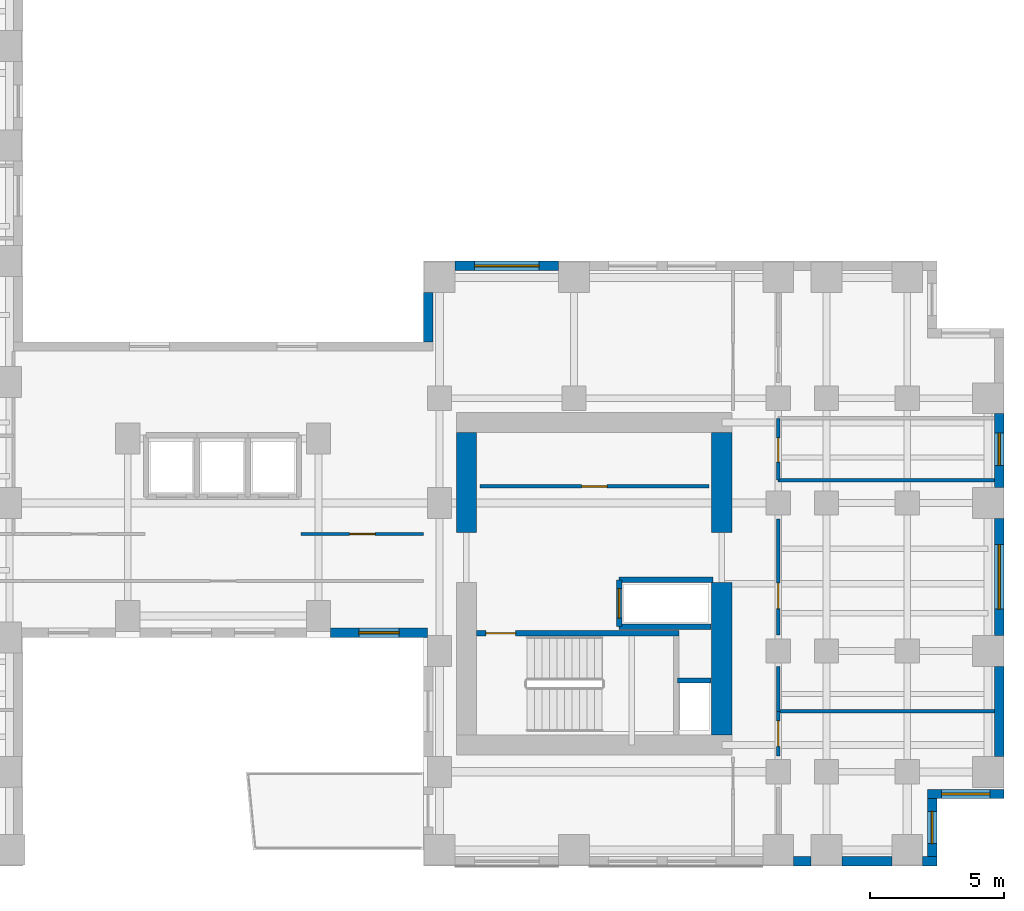
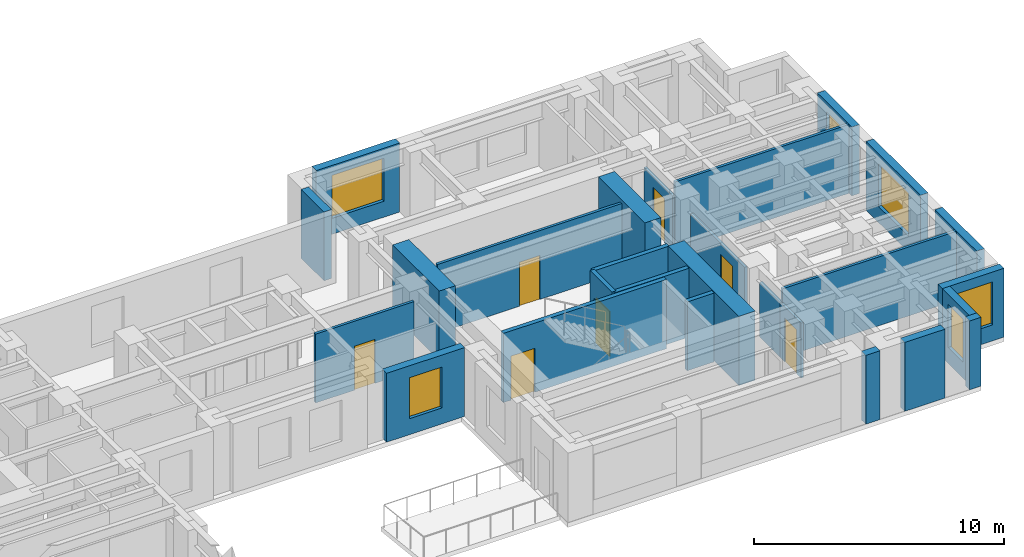
# One storey, part 7 of 12: 27 walls, 7 doors, 6 windows, 13 openings.
"""IFC4 building model written with IfcOpenShell, lengths in metres."""

from ifc_helpers import new_model, si_unit, direction, frame, frame_2d, origin, place, context, subcontext, project, spatial, rectangle, extrude, source, transform, mapped, material, layer, layer_set, type_object, element, fill, save


model = new_model("IFC4")

# Units and contexts
model_context = context("Model", 3, precision=1e-05, world=origin(), true_north=direction((0.0, 1.0)))
body_context = subcontext(model_context, "Body", "Model", "MODEL_VIEW")
ifc_project = project(units=[si_unit("LENGTHUNIT", "METRE"), si_unit("AREAUNIT", "SQUARE_METRE"), si_unit("VOLUMEUNIT", "CUBIC_METRE"), si_unit("PLANEANGLEUNIT", "RADIAN"), si_unit("MASSUNIT", "GRAM", prefix="KILO")], contexts=[model_context])

# Site, building, storey
site_placement = place(None, origin())
site = spatial("IfcSite", under=ifc_project, at=site_placement, CompositionType="ELEMENT")
building_placement = place(site_placement, origin())
building = spatial("IfcBuilding", under=site, at=building_placement, Name="Kharzan Plaza Tower", CompositionType="ELEMENT")
storey_placement = place(building_placement, frame((0.0, 0.0, 91.800048828125)))
storey = spatial("IfcBuildingStorey", under=building, at=storey_placement, Name="L24", CompositionType="ELEMENT", Elevation=91.800048828125)

# Wall, opening, window
ifc_material_1 = material(Name="Concrete C40/50", Category="concrete")
ifc_layer_1 = layer(ifc_material_1, 0.35009765625)
ifc_layer_set_1 = layer_set([ifc_layer_1], Name="Concrete C40/50")
wall_type_1 = type_object("IfcWallType", Name="WL-EXT-MAS-Z2", PredefinedType="SOLIDWALL", material=ifc_layer_set_1)
wall_1_placement = place(storey_placement, frame((30.947998046875, 8.675048828125, 0.0), z_axis=(0.0, 0.0, 1.0), x_axis=(1.0, 0.0, 0.0)))
wall_1 = element("IfcWall", 1, at=wall_1_placement, inside=storey, type_object=wall_type_1, Name="L24 Masonry-Frame Exterior Wall 36", PredefinedType="SOLIDWALL", context=body_context, shape_type="SweptSolid", body=[
    extrude(rectangle(XDim=3.60400390625, YDim=0.35009765625, at=frame_2d((1.802001953125, 0.0))), origin(), (0.0, 0.0, 1.0), 3.364990234375),
])
opening_1_placement = place(wall_1_placement, frame((1.052001953125, 0.0, 0.780029296875)))
opening_1 = element("IfcOpeningElement", 2, at=opening_1_placement, cuts=wall_1, Name="Opening W5", PredefinedType="OPENING", context=body_context, shape_type="SweptSolid", body=[
    extrude(rectangle(XDim=1.5, YDim=2.0, at=frame_2d((0.75, 1.0))), frame((0.0, 0.18505859375, 0.0), z_axis=(0.0, -1.0, 0.0), x_axis=(1.0, 0.0, 0.0)), (0.0, 0.0, 1.0), 0.3701171875),
])
ifc_material_2 = material(Name="Low-E Double Glazing", Category="glass")
window_type_1 = type_object("IfcWindowType", Name="WN-SLT-1500x2000", PartitioningType="SINGLE_PANEL", PredefinedType="WINDOW", material=ifc_material_2)
shared_shape_1 = source(origin(), body_context, "Body", "SweptSolid", [
    extrude(rectangle(XDim=1.5, YDim=2.0, at=frame_2d((0.75, 1.0))), frame((0.0, 0.030029296875, 0.0), z_axis=(0.0, -1.0, 0.0), x_axis=(1.0, 0.0, 0.0)), (0.0, 0.0, 1.0), 0.06005859375),
])
window_1_placement = place(opening_1_placement, origin())
window_1 = element("IfcWindow", 3, at=window_1_placement, inside=storey, type_object=window_type_1, Name="L24 Recessed Solar-Control Window 36-1", OverallHeight=2.0, OverallWidth=1.5, PartitioningType="SINGLE_PANEL", PredefinedType="WINDOW", context=body_context, shape_type="MappedRepresentation", body=[
    mapped(shared_shape_1, transform((0.0, 0.0, 0.0), x_axis=(1.0, 0.0, 0.0), y_axis=(0.0, 1.0, 0.0), z_axis=(0.0, 0.0, 1.0))),
])
fill(opening_1, window_1)

wall_2_placement = place(storey_placement, frame((53.324951171875, 0.347900390625, 0.0), z_axis=(0.0, 0.0, 1.0), x_axis=(0.0, 1.0, 0.0)))
wall_2 = element("IfcWall", 4, at=wall_2_placement, inside=storey, type_object=wall_type_1, Name="L24 Masonry-Frame Exterior Wall 44", PredefinedType="SOLIDWALL", context=body_context, shape_type="SweptSolid", body=[
    extrude(rectangle(XDim=2.154052734375, YDim=0.35009765625, at=frame_2d((1.0771484375, 0.0))), origin(), (0.0, 0.0, 1.0), 3.364990234375),
])
opening_2_placement = place(wall_2_placement, frame((0.47705078125, 0.0, 0.780029296875)))
opening_2 = element("IfcOpeningElement", 5, at=opening_2_placement, cuts=wall_2, Name="Opening W3", PredefinedType="OPENING", context=body_context, shape_type="SweptSolid", body=[
    extrude(rectangle(XDim=1.199951171875, YDim=2.10009765625, at=frame_2d((0.60009765625, 1.050048828125))), frame((0.0, 0.18505859375, 0.0), z_axis=(0.0, -1.0, 0.0), x_axis=(1.0, 0.0, 0.0)), (0.0, 0.0, 1.0), 0.3701171875),
])
window_type_2 = type_object("IfcWindowType", Name="WN-REC-1200x2100", PartitioningType="SINGLE_PANEL", PredefinedType="WINDOW", material=ifc_material_2)
shared_shape_2 = source(origin(), body_context, "Body", "SweptSolid", [
    extrude(rectangle(XDim=1.199951171875, YDim=2.10009765625, at=frame_2d((0.60009765625, 1.050048828125))), frame((0.0, 0.030029296875, 0.0), z_axis=(0.0, -1.0, 0.0), x_axis=(1.0, 0.0, 0.0)), (0.0, 0.0, 1.0), 0.06005859375),
])
window_2_placement = place(opening_2_placement, origin())
window_2 = element("IfcWindow", 6, at=window_2_placement, inside=storey, type_object=window_type_2, Name="L24 Recessed Solar-Control Window 44-1", OverallHeight=2.10009765625, OverallWidth=1.199951171875, PartitioningType="SINGLE_PANEL", PredefinedType="WINDOW", context=body_context, shape_type="MappedRepresentation", body=[
    mapped(shared_shape_2, transform((0.0, 0.0, 0.0), x_axis=(1.0, 0.0, 0.0), y_axis=(0.0, 1.0, 0.0), z_axis=(0.0, 0.0, 1.0))),
])
fill(opening_2, window_2)

wall_3_placement = place(storey_placement, frame((53.14990234375, 2.675048828125, 0.0), z_axis=(0.0, 0.0, 1.0), x_axis=(1.0, 0.0, 0.0)))
wall_3 = element("IfcWall", 7, at=wall_3_placement, inside=storey, type_object=wall_type_1, Name="L24 Masonry-Frame Exterior Wall 45", PredefinedType="SOLIDWALL", context=body_context, shape_type="SweptSolid", body=[
    extrude(rectangle(XDim=2.85009765625, YDim=0.35009765625, at=frame_2d((1.425048828125, 0.0))), origin(), (0.0, 0.0, 1.0), 3.364990234375),
])
opening_3_placement = place(wall_3_placement, frame((0.52490234375, 0.0, 0.780029296875)))
opening_3 = element("IfcOpeningElement", 8, at=opening_3_placement, cuts=wall_3, Name="Opening W1", PredefinedType="OPENING", context=body_context, shape_type="SweptSolid", body=[
    extrude(rectangle(XDim=1.800048828125, YDim=2.10009765625, at=frame_2d((0.89990234375, 1.050048828125))), frame((0.0, 0.18505859375, 0.0), z_axis=(0.0, -1.0, 0.0), x_axis=(1.0, 0.0, 0.0)), (0.0, 0.0, 1.0), 0.3701171875),
])
window_type_3 = type_object("IfcWindowType", Name="WN-REC-1800x2100", PartitioningType="SINGLE_PANEL", PredefinedType="WINDOW", material=ifc_material_2)
shared_shape_3 = source(origin(), body_context, "Body", "SweptSolid", [
    extrude(rectangle(XDim=1.800048828125, YDim=2.10009765625, at=frame_2d((0.89990234375, 1.050048828125))), frame((0.0, 0.030029296875, 0.0), z_axis=(0.0, -1.0, 0.0), x_axis=(1.0, 0.0, 0.0)), (0.0, 0.0, 1.0), 0.06005859375),
])
window_3_placement = place(opening_3_placement, origin())
window_3 = element("IfcWindow", 9, at=window_3_placement, inside=storey, type_object=window_type_3, Name="L24 Recessed Solar-Control Window 45-1", OverallHeight=2.10009765625, OverallWidth=1.800048828125, PartitioningType="SINGLE_PANEL", PredefinedType="WINDOW", context=body_context, shape_type="MappedRepresentation", body=[
    mapped(shared_shape_3, transform((0.0, 0.0, 0.0), x_axis=(1.0, 0.0, 0.0), y_axis=(0.0, 1.0, 0.0), z_axis=(0.0, 0.0, 1.0))),
])
fill(opening_3, window_3)

wall_4_placement = place(storey_placement, frame((55.824951171875, 8.572998046875, 0.0), z_axis=(0.0, 0.0, 1.0), x_axis=(0.0, 1.0, 0.0)))
wall_4 = element("IfcWall", 10, at=wall_4_placement, inside=storey, type_object=wall_type_1, Name="L24 Masonry-Frame Exterior Wall 47", PredefinedType="SOLIDWALL", context=body_context, shape_type="SweptSolid", body=[
    extrude(rectangle(XDim=4.35400390625, YDim=0.35009765625, at=frame_2d((2.177001953125, 0.0))), origin(), (0.0, 0.0, 1.0), 3.364990234375),
])
opening_4_placement = place(wall_4_placement, frame((0.97705078125, 0.0, 0.780029296875)))
opening_4 = element("IfcOpeningElement", 11, at=opening_4_placement, cuts=wall_4, Name="Opening W2", PredefinedType="OPENING", context=body_context, shape_type="SweptSolid", body=[
    extrude(rectangle(XDim=2.39990234375, YDim=2.10009765625, at=frame_2d((1.199951171875, 1.050048828125))), frame((0.0, 0.18505859375, 0.0), z_axis=(0.0, -1.0, 0.0), x_axis=(1.0, 0.0, 0.0)), (0.0, 0.0, 1.0), 0.3701171875),
])
window_type_4 = type_object("IfcWindowType", Name="WN-REC-2400x2100", PartitioningType="SINGLE_PANEL", PredefinedType="WINDOW", material=ifc_material_2)
shared_shape_4 = source(origin(), body_context, "Body", "SweptSolid", [
    extrude(rectangle(XDim=2.39990234375, YDim=2.10009765625, at=frame_2d((1.199951171875, 1.050048828125))), frame((0.0, 0.030029296875, 0.0), z_axis=(0.0, -1.0, 0.0), x_axis=(1.0, 0.0, 0.0)), (0.0, 0.0, 1.0), 0.06005859375),
])
window_4_placement = place(opening_4_placement, origin())
window_4 = element("IfcWindow", 12, at=window_4_placement, inside=storey, type_object=window_type_4, Name="L24 Wide Recessed Solar-Control Window 47-1", OverallHeight=2.10009765625, OverallWidth=2.39990234375, PartitioningType="SINGLE_PANEL", PredefinedType="WINDOW", context=body_context, shape_type="MappedRepresentation", body=[
    mapped(shared_shape_4, transform((0.0, 0.0, 0.0), x_axis=(1.0, 0.0, 0.0), y_axis=(0.0, 1.0, 0.0), z_axis=(0.0, 0.0, 1.0))),
])
fill(opening_4, window_4)

wall_5_placement = place(storey_placement, frame((55.824951171875, 14.072998046875, 0.0), z_axis=(0.0, 0.0, 1.0), x_axis=(0.0, 1.0, 0.0)))
wall_5 = element("IfcWall", 13, at=wall_5_placement, inside=storey, type_object=wall_type_1, Name="L24 Masonry-Frame Exterior Wall 48", PredefinedType="SOLIDWALL", context=body_context, shape_type="SweptSolid", body=[
    extrude(rectangle(XDim=2.75390625, YDim=0.35009765625, at=frame_2d((1.376953125, 0.0))), origin(), (0.0, 0.0, 1.0), 3.364990234375),
])
opening_5_placement = place(wall_5_placement, frame((0.826904296875, 0.0, 0.780029296875)))
opening_5 = element("IfcOpeningElement", 14, at=opening_5_placement, cuts=wall_5, Name="Opening W3", PredefinedType="OPENING", context=body_context, shape_type="SweptSolid", body=[
    extrude(rectangle(XDim=1.199951171875, YDim=2.10009765625, at=frame_2d((0.60009765625, 1.050048828125))), frame((0.0, 0.18505859375, 0.0), z_axis=(0.0, -1.0, 0.0), x_axis=(1.0, 0.0, 0.0)), (0.0, 0.0, 1.0), 0.3701171875),
])
window_5_placement = place(opening_5_placement, origin())
window_5 = element("IfcWindow", 15, at=window_5_placement, inside=storey, type_object=window_type_2, Name="L24 Recessed Solar-Control Window 48-1", OverallHeight=2.10009765625, OverallWidth=1.199951171875, PartitioningType="SINGLE_PANEL", PredefinedType="WINDOW", context=body_context, shape_type="MappedRepresentation", body=[
    mapped(shared_shape_2, transform((0.0, 0.0, 0.0), x_axis=(1.0, 0.0, 0.0), y_axis=(0.0, 1.0, 0.0), z_axis=(0.0, 0.0, 1.0))),
])
fill(opening_5, window_5)

wall_6_placement = place(storey_placement, frame((39.427001953125, 22.324951171875, 0.0), z_axis=(0.0, 0.0, 1.0), x_axis=(-1.0, 0.0, 0.0)))
wall_6 = element("IfcWall", 16, at=wall_6_placement, inside=storey, type_object=wall_type_1, Name="L24 Masonry-Frame Exterior Wall 56", PredefinedType="SOLIDWALL", context=body_context, shape_type="SweptSolid", body=[
    extrude(rectangle(XDim=3.85400390625, YDim=0.35009765625, at=frame_2d((1.927001953125, 0.0))), origin(), (0.0, 0.0, 1.0), 3.364990234375),
])
opening_6_placement = place(wall_6_placement, frame((0.72705078125, 0.0, 0.780029296875)))
opening_6 = element("IfcOpeningElement", 17, at=opening_6_placement, cuts=wall_6, Name="Opening W2", PredefinedType="OPENING", context=body_context, shape_type="SweptSolid", body=[
    extrude(rectangle(XDim=2.39990234375, YDim=2.10009765625, at=frame_2d((1.199951171875, 1.050048828125))), frame((0.0, 0.18505859375, 0.0), z_axis=(0.0, -1.0, 0.0), x_axis=(1.0, 0.0, 0.0)), (0.0, 0.0, 1.0), 0.3701171875),
])
window_6_placement = place(opening_6_placement, origin())
window_6 = element("IfcWindow", 18, at=window_6_placement, inside=storey, type_object=window_type_4, Name="L24 Wide Recessed Solar-Control Window 56-1", OverallHeight=2.10009765625, OverallWidth=2.39990234375, PartitioningType="SINGLE_PANEL", PredefinedType="WINDOW", context=body_context, shape_type="MappedRepresentation", body=[
    mapped(shared_shape_4, transform((0.0, 0.0, 0.0), x_axis=(1.0, 0.0, 0.0), y_axis=(0.0, 1.0, 0.0), z_axis=(0.0, 0.0, 1.0))),
])
fill(opening_6, window_6)

# Wall, opening, door
ifc_material_3 = material(Name="Fire-Rated Gypsum Board Partition", Category="gypsum")
ifc_layer_2 = layer(ifc_material_3, 0.125)
ifc_layer_set_2 = layer_set([ifc_layer_2], Name="Fire-Rated Gypsum Board Partition")
wall_type_2 = type_object("IfcWallType", Name="WL-INT-PART-125", PredefinedType="PARTITIONING", material=ifc_layer_set_2)
wall_7_placement = place(storey_placement, frame((36.5, 14.1201171875, 0.0), z_axis=(0.0, 0.0, 1.0), x_axis=(1.0, 0.0, 0.0)))
wall_7 = element("IfcWall", 19, at=wall_7_placement, inside=storey, type_object=wall_type_2, Name="L24 Interior Partition CB-RBLS1", PredefinedType="PARTITIONING", context=body_context, shape_type="SweptSolid", body=[
    extrude(rectangle(XDim=8.52001953125, YDim=0.125, at=frame_2d((4.260009765625, 0.0))), origin(), (0.0, 0.0, 1.0), 3.364990234375),
])
opening_7_placement = place(wall_7_placement, frame((3.784912109375, 0.0, 0.0)))
opening_7 = element("IfcOpeningElement", 20, at=opening_7_placement, cuts=wall_7, Name="Opening OD1", PredefinedType="OPENING", context=body_context, shape_type="SweptSolid", body=[
    extrude(rectangle(XDim=0.949951171875, YDim=2.14990234375, at=frame_2d((0.47509765625, 1.074951171875))), frame((0.0, 0.072509765625, 0.0), z_axis=(0.0, -1.0, 0.0), x_axis=(1.0, 0.0, 0.0)), (0.0, 0.0, 1.0), 0.14501953125),
])
ifc_material_4 = material(Name="Acoustic Solid-Core Stained Oak", Category="timber")
door_type_1 = type_object("IfcDoorType", Name="DR-OFF-SINGLE", OperationType="NOTDEFINED", PredefinedType="DOOR", material=ifc_material_4)
shared_shape_5 = source(origin(), body_context, "Body", "SweptSolid", [
    extrude(rectangle(XDim=0.949951171875, YDim=2.14990234375, at=frame_2d((0.47509765625, 1.074951171875))), frame((0.0, 0.02490234375, 0.0), z_axis=(0.0, -1.0, 0.0), x_axis=(1.0, 0.0, 0.0)), (0.0, 0.0, 1.0), 0.050048828125),
])
door_1_placement = place(opening_7_placement, origin())
door_1 = element("IfcDoor", 21, at=door_1_placement, inside=storey, type_object=door_type_1, Name="L24 Mail Room Door", OperationType="SINGLE_SWING_LEFT", OverallHeight=2.14990234375, OverallWidth=0.949951171875, PredefinedType="DOOR", context=body_context, shape_type="MappedRepresentation", body=[
    mapped(shared_shape_5, transform((0.0, 0.0, 0.0), x_axis=(1.0, 0.0, 0.0), y_axis=(0.0, 1.0, 0.0), z_axis=(0.0, 0.0, 1.0))),
])
fill(opening_7, door_1)

wall_8_placement = place(storey_placement, frame((47.60009765625, 4.090087890625, 0.0), z_axis=(0.0, 0.0, 1.0), x_axis=(0.0, 1.0, 0.0)))
wall_8 = element("IfcWall", 22, at=wall_8_placement, inside=storey, type_object=wall_type_2, Name="L24 Interior Partition SH-B3W0", PredefinedType="PARTITIONING", context=body_context, shape_type="SweptSolid", body=[
    extrude(rectangle(XDim=1.659912109375, YDim=0.125, at=frame_2d((0.830078125, 0.0))), origin(), (0.0, 0.0, 1.0), 2.677001953125),
])
opening_8_placement = place(wall_8_placement, frame((0.35498046875, 0.0, 0.0)))
opening_8 = element("IfcOpeningElement", 23, at=opening_8_placement, cuts=wall_8, Name="Opening OD1", PredefinedType="OPENING", context=body_context, shape_type="SweptSolid", body=[
    extrude(rectangle(XDim=0.949951171875, YDim=2.14990234375, at=frame_2d((0.47509765625, 1.074951171875))), frame((0.0, 0.072509765625, 0.0), z_axis=(0.0, -1.0, 0.0), x_axis=(1.0, 0.0, 0.0)), (0.0, 0.0, 1.0), 0.14501953125),
])
door_2_placement = place(opening_8_placement, origin())
door_2 = element("IfcDoor", 24, at=door_2_placement, inside=storey, type_object=door_type_1, Name="L24 Wing B Office 1 Door", OperationType="SINGLE_SWING_RIGHT", OverallHeight=2.14990234375, OverallWidth=0.949951171875, PredefinedType="DOOR", context=body_context, shape_type="MappedRepresentation", body=[
    mapped(shared_shape_5, transform((0.0, 0.0, 0.0), x_axis=(1.0, 0.0, 0.0), y_axis=(0.0, 1.0, 0.0), z_axis=(0.0, 0.0, 1.0))),
])
fill(opening_8, door_2)

wall_9_placement = place(storey_placement, frame((47.60009765625, 8.590087890625, 0.0), z_axis=(0.0, 0.0, 1.0), x_axis=(0.0, 1.0, 0.0)))
wall_9 = element("IfcWall", 25, at=wall_9_placement, inside=storey, type_object=wall_type_2, Name="L24 Interior Partition SH-B3W1-S2", PredefinedType="PARTITIONING", context=body_context, shape_type="SweptSolid", body=[
    extrude(rectangle(XDim=4.31982421875, YDim=0.125, at=frame_2d((2.159912109375, 0.0))), origin(), (0.0, 0.0, 1.0), 2.677001953125),
])
opening_9_placement = place(wall_9_placement, frame((0.985107421875, 0.0, 0.0)))
opening_9 = element("IfcOpeningElement", 26, at=opening_9_placement, cuts=wall_9, Name="Opening OD1", PredefinedType="OPENING", context=body_context, shape_type="SweptSolid", body=[
    extrude(rectangle(XDim=0.949951171875, YDim=2.14990234375, at=frame_2d((0.47509765625, 1.074951171875))), frame((0.0, 0.072509765625, 0.0), z_axis=(0.0, -1.0, 0.0), x_axis=(1.0, 0.0, 0.0)), (0.0, 0.0, 1.0), 0.14501953125),
])
door_3_placement = place(opening_9_placement, origin())
door_3 = element("IfcDoor", 27, at=door_3_placement, inside=storey, type_object=door_type_1, Name="L24 Wing B Office 2 Door", OperationType="SINGLE_SWING_RIGHT", OverallHeight=2.14990234375, OverallWidth=0.949951171875, PredefinedType="DOOR", context=body_context, shape_type="MappedRepresentation", body=[
    mapped(shared_shape_5, transform((0.0, 0.0, 0.0), x_axis=(1.0, 0.0, 0.0), y_axis=(0.0, 1.0, 0.0), z_axis=(0.0, 0.0, 1.0))),
])
fill(opening_9, door_3)

wall_10_placement = place(storey_placement, frame((47.60009765625, 14.35009765625, 0.0), z_axis=(0.0, 0.0, 1.0), x_axis=(0.0, 1.0, 0.0)))
wall_10 = element("IfcWall", 28, at=wall_10_placement, inside=storey, type_object=wall_type_2, Name="L24 Interior Partition SH-B3WC", PredefinedType="PARTITIONING", context=body_context, shape_type="SweptSolid", body=[
    extrude(rectangle(XDim=2.2998046875, YDim=0.125, at=frame_2d((1.14990234375, 0.0))), origin(), (0.0, 0.0, 1.0), 2.677001953125),
])
opening_10_placement = place(wall_10_placement, frame((0.675048828125, 0.0, 0.0)))
opening_10 = element("IfcOpeningElement", 29, at=opening_10_placement, cuts=wall_10, Name="Opening WD1", PredefinedType="OPENING", context=body_context, shape_type="SweptSolid", body=[
    extrude(rectangle(XDim=0.89990234375, YDim=2.14990234375, at=frame_2d((0.449951171875, 1.074951171875))), frame((0.0, 0.072509765625, 0.0), z_axis=(0.0, -1.0, 0.0), x_axis=(1.0, 0.0, 0.0)), (0.0, 0.0, 1.0), 0.14501953125),
])
ifc_material_5 = material(Name="Moisture-Resistant Fire-Rated Laminate", Category="timber")
door_type_2 = type_object("IfcDoorType", Name="DR-WC-900", OperationType="NOTDEFINED", PredefinedType="DOOR", material=ifc_material_5)
shared_shape_6 = source(origin(), body_context, "Body", "SweptSolid", [
    extrude(rectangle(XDim=0.89990234375, YDim=2.14990234375, at=frame_2d((0.449951171875, 1.074951171875))), frame((0.0, 0.02490234375, 0.0), z_axis=(0.0, -1.0, 0.0), x_axis=(1.0, 0.0, 0.0)), (0.0, 0.0, 1.0), 0.050048828125),
])
door_4_placement = place(opening_10_placement, origin())
door_4 = element("IfcDoor", 30, at=door_4_placement, inside=storey, type_object=door_type_2, Name="L24 Wing B Washroom Door", OperationType="SINGLE_SWING_RIGHT", OverallHeight=2.14990234375, OverallWidth=0.89990234375, PredefinedType="DOOR", context=body_context, shape_type="MappedRepresentation", body=[
    mapped(shared_shape_6, transform((0.0, 0.0, 0.0), x_axis=(1.0, 0.0, 0.0), y_axis=(0.0, 1.0, 0.0), z_axis=(0.0, 0.0, 1.0))),
])
fill(opening_10, door_4)

wall_11_placement = place(storey_placement, frame((29.85009765625, 12.35009765625, 0.0), z_axis=(0.0, 0.0, 1.0), x_axis=(1.0, 0.0, 0.0)))
wall_11 = element("IfcWall", 31, at=wall_11_placement, inside=storey, type_object=wall_type_2, Name="L24 Interior Partition SH-SPNE1", PredefinedType="PARTITIONING", context=body_context, shape_type="SweptSolid", body=[
    extrude(rectangle(XDim=4.5498046875, YDim=0.125, at=frame_2d((2.27490234375, 0.0))), origin(), (0.0, 0.0, 1.0), 3.364990234375),
])
opening_11_placement = place(wall_11_placement, frame((1.800048828125, 0.0, 0.0)))
opening_11 = element("IfcOpeningElement", 32, at=opening_11_placement, cuts=wall_11, Name="Opening OD1", PredefinedType="OPENING", context=body_context, shape_type="SweptSolid", body=[
    extrude(rectangle(XDim=0.949951171875, YDim=2.14990234375, at=frame_2d((0.47509765625, 1.074951171875))), frame((0.0, 0.072509765625, 0.0), z_axis=(0.0, -1.0, 0.0), x_axis=(1.0, 0.0, 0.0)), (0.0, 0.0, 1.0), 0.14501953125),
])
door_5_placement = place(opening_11_placement, origin())
door_5 = element("IfcDoor", 33, at=door_5_placement, inside=storey, type_object=door_type_1, Name="L24 North-East Spine Door", OperationType="SINGLE_SWING_LEFT", OverallHeight=2.14990234375, OverallWidth=0.949951171875, PredefinedType="DOOR", context=body_context, shape_type="MappedRepresentation", body=[
    mapped(shared_shape_5, transform((0.0, 0.0, 0.0), x_axis=(1.0, 0.0, 0.0), y_axis=(0.0, 1.0, 0.0), z_axis=(0.0, 0.0, 1.0))),
])
fill(opening_11, door_5)

ifc_layer_3 = layer(ifc_material_1, 0.199951171875)
ifc_layer_set_3 = layer_set([ifc_layer_3], Name="Concrete C40/50")
wall_type_3 = type_object("IfcWallType", Name="WL-INT-SHAFT-200", PredefinedType="PARTITIONING", material=ifc_layer_set_3)
wall_12_placement = place(storey_placement, frame((41.679931640625, 8.89990234375, 0.0), z_axis=(0.0, 0.0, 1.0), x_axis=(0.0, 1.0, 0.0)))
wall_12 = element("IfcWall", 34, at=wall_12_placement, inside=storey, type_object=wall_type_3, Name="L24 Interior Partition SHF-SVL-2-W", PredefinedType="PARTITIONING", context=body_context, shape_type="SweptSolid", body=[
    extrude(rectangle(XDim=1.739990234375, YDim=0.199951171875, at=frame_2d((0.8701171875, 0.0))), origin(), (0.0, 0.0, 1.0), 3.364990234375),
])
opening_12_placement = place(wall_12_placement, frame((0.320068359375, 0.0, 0.0)))
opening_12 = element("IfcOpeningElement", 35, at=opening_12_placement, cuts=wall_12, Name="Opening LD", PredefinedType="OPENING", context=body_context, shape_type="SweptSolid", body=[
    extrude(rectangle(XDim=1.10009765625, YDim=2.199951171875, at=frame_2d((0.550048828125, 1.10009765625))), frame((0.0, 0.10986328125, 0.0), z_axis=(0.0, -1.0, 0.0), x_axis=(1.0, 0.0, 0.0)), (0.0, 0.0, 1.0), 0.219970703125),
])
ifc_material_6 = material(Name="Brushed Stainless Steel", Category="steel")
door_type_3 = type_object("IfcDoorType", Name="DR-LIFT-SLIDE", OperationType="SLIDING_TO_LEFT", PredefinedType="DOOR", material=ifc_material_6)
shared_shape_7 = source(origin(), body_context, "Body", "SweptSolid", [
    extrude(rectangle(XDim=1.10009765625, YDim=2.199951171875, at=frame_2d((0.550048828125, 1.10009765625))), frame((0.0, 0.02490234375, 0.0), z_axis=(0.0, -1.0, 0.0), x_axis=(1.0, 0.0, 0.0)), (0.0, 0.0, 1.0), 0.050048828125),
])
door_6_placement = place(opening_12_placement, origin())
door_6 = element("IfcDoor", 36, at=door_6_placement, inside=storey, type_object=door_type_3, Name="L24 Service Lift SVL-2 Sliding Landing Door", OperationType="SLIDING_TO_LEFT", OverallHeight=2.199951171875, OverallWidth=1.10009765625, PredefinedType="DOOR", context=body_context, shape_type="MappedRepresentation", body=[
    mapped(shared_shape_7, transform((0.0, 0.0, 0.0), x_axis=(1.0, 0.0, 0.0), y_axis=(0.0, 1.0, 0.0), z_axis=(0.0, 0.0, 1.0))),
])
fill(opening_12, door_6)

ifc_material_7 = material(Name="Concrete C50/60", Category="concrete")
ifc_layer_4 = layer(ifc_material_7, 0.199951171875)
ifc_layer_set_4 = layer_set([ifc_layer_4], Name="Concrete C50/60")
wall_type_4 = type_object("IfcWallType", Name="WL-SHAFT-RC200", PredefinedType="SHEAR", material=ifc_layer_set_4)
wall_13_placement = place(storey_placement, frame((36.376953125, 8.655029296875, 0.0), z_axis=(0.0, 0.0, 1.0), x_axis=(1.0, 0.0, 0.0)))
wall_13 = element("IfcWall", 37, at=wall_13_placement, inside=storey, type_object=wall_type_4, Name="L24 Stair ST-3 North RC Shaft Wall", PredefinedType="SHEAR", context=body_context, shape_type="SweptSolid", body=[
    extrude(rectangle(XDim=7.528076171875, YDim=0.199951171875, at=frame_2d((3.76416015625, 0.0))), origin(), (0.0, 0.0, 1.0), 3.3798828125),
])
opening_13_placement = place(wall_13_placement, frame((0.35009765625, 0.0, 0.0)))
opening_13 = element("IfcOpeningElement", 38, at=opening_13_placement, cuts=wall_13, Name="Opening SD1", PredefinedType="OPENING", context=body_context, shape_type="SweptSolid", body=[
    extrude(rectangle(XDim=1.10009765625, YDim=2.14990234375, at=frame_2d((0.550048828125, 1.074951171875))), frame((0.0, 0.10986328125, 0.0), z_axis=(0.0, -1.0, 0.0), x_axis=(1.0, 0.0, 0.0)), (0.0, 0.0, 1.0), 0.219970703125),
])
ifc_material_8 = material(Name="Fire-Rated Hollow Galvanized Steel", Category="steel")
door_type_4 = type_object("IfcDoorType", Name="DR-STAIR-FD120", OperationType="NOTDEFINED", PredefinedType="DOOR", material=ifc_material_8)
shared_shape_8 = source(origin(), body_context, "Body", "SweptSolid", [
    extrude(rectangle(XDim=1.10009765625, YDim=2.14990234375, at=frame_2d((0.550048828125, 1.074951171875))), frame((0.0, 0.02490234375, 0.0), z_axis=(0.0, -1.0, 0.0), x_axis=(1.0, 0.0, 0.0)), (0.0, 0.0, 1.0), 0.050048828125),
])
door_7_placement = place(opening_13_placement, origin())
door_7 = element("IfcDoor", 39, at=door_7_placement, inside=storey, type_object=door_type_4, Name="L24 Stair ST-3 Fire Exit Door", OperationType="SINGLE_SWING_RIGHT", OverallHeight=2.14990234375, OverallWidth=1.10009765625, PredefinedType="DOOR", context=body_context, shape_type="MappedRepresentation", body=[
    mapped(shared_shape_8, transform((0.0, 0.0, 0.0), x_axis=(1.0, 0.0, 0.0), y_axis=(0.0, 1.0, 0.0), z_axis=(0.0, 0.0, 1.0))),
])
fill(opening_13, door_7)

# Walls
shared_shape_9 = source(origin(), body_context, "Body", "SweptSolid", [
    extrude(rectangle(XDim=3.489990234375, YDim=0.199951171875, at=frame_2d((1.7451171875, 0.0))), origin(), (0.0, 0.0, 1.0), 3.364990234375),
])
wall_14_placement = place(storey_placement, frame((41.679931640625, 10.639892578125, 0.0), z_axis=(0.0, 0.0, 1.0), x_axis=(1.0, 0.0, 0.0)))
element("IfcWall", 40, at=wall_14_placement, inside=storey, type_object=wall_type_3, Name="L24 Interior Partition SHF-SVL-2-N", PredefinedType="PARTITIONING", context=body_context, shape_type="MappedRepresentation", body=[
    mapped(shared_shape_9, transform((0.0, 0.0, 0.0), x_axis=(1.0, 0.0, 0.0), y_axis=(0.0, 1.0, 0.0), z_axis=(0.0, 0.0, 1.0))),
])
shared_shape_10 = source(origin(), body_context, "Body", "SweptSolid", [
    extrude(rectangle(XDim=0.65380859375, YDim=0.35009765625, at=frame_2d((0.326904296875, 0.0))), origin(), (0.0, 0.0, 1.0), 3.364990234375),
])
wall_15_placement = place(storey_placement, frame((48.173095703125, 0.175048828125, 0.0), z_axis=(0.0, 0.0, 1.0), x_axis=(1.0, 0.0, 0.0)))
element("IfcWall", 41, at=wall_15_placement, inside=storey, type_object=wall_type_1, Name="L24 Masonry-Frame Exterior Wall 41", PredefinedType="SOLIDWALL", context=body_context, shape_type="MappedRepresentation", body=[
    mapped(shared_shape_10, transform((0.0, 0.0, 0.0), x_axis=(1.0, 0.0, 0.0), y_axis=(0.0, 1.0, 0.0), z_axis=(0.0, 0.0, 1.0))),
])
shared_shape_11 = source(origin(), body_context, "Body", "SweptSolid", [
    extrude(rectangle(XDim=1.85400390625, YDim=0.35009765625, at=frame_2d((0.927001953125, 0.0))), origin(), (0.0, 0.0, 1.0), 3.364990234375),
])
wall_16_placement = place(storey_placement, frame((49.972900390625, 0.175048828125, 0.0), z_axis=(0.0, 0.0, 1.0), x_axis=(1.0, 0.0, 0.0)))
element("IfcWall", 42, at=wall_16_placement, inside=storey, type_object=wall_type_1, Name="L24 Masonry-Frame Exterior Wall 42", PredefinedType="SOLIDWALL", context=body_context, shape_type="MappedRepresentation", body=[
    mapped(shared_shape_11, transform((0.0, 0.0, 0.0), x_axis=(1.0, 0.0, 0.0), y_axis=(0.0, 1.0, 0.0), z_axis=(0.0, 0.0, 1.0))),
])
shared_shape_12 = source(origin(), body_context, "Body", "SweptSolid", [
    extrude(rectangle(XDim=0.527099609375, YDim=0.35009765625, at=frame_2d((0.263671875, 0.0))), origin(), (0.0, 0.0, 1.0), 3.364990234375),
])
wall_17_placement = place(storey_placement, frame((52.972900390625, 0.175048828125, 0.0), z_axis=(0.0, 0.0, 1.0), x_axis=(1.0, 0.0, 0.0)))
element("IfcWall", 43, at=wall_17_placement, inside=storey, type_object=wall_type_1, Name="L24 Masonry-Frame Exterior Wall 43", PredefinedType="SOLIDWALL", context=body_context, shape_type="MappedRepresentation", body=[
    mapped(shared_shape_12, transform((0.0, 0.0, 0.0), x_axis=(1.0, 0.0, 0.0), y_axis=(0.0, 1.0, 0.0), z_axis=(0.0, 0.0, 1.0))),
])
shared_shape_13 = source(origin(), body_context, "Body", "SweptSolid", [
    extrude(rectangle(XDim=3.35400390625, YDim=0.35009765625, at=frame_2d((1.677001953125, 0.0))), origin(), (0.0, 0.0, 1.0), 3.364990234375),
])
wall_18_placement = place(storey_placement, frame((55.824951171875, 4.072998046875, 0.0), z_axis=(0.0, 0.0, 1.0), x_axis=(0.0, 1.0, 0.0)))
element("IfcWall", 44, at=wall_18_placement, inside=storey, type_object=wall_type_1, Name="L24 Masonry-Frame Exterior Wall 46", PredefinedType="SOLIDWALL", context=body_context, shape_type="MappedRepresentation", body=[
    mapped(shared_shape_13, transform((0.0, 0.0, 0.0), x_axis=(1.0, 0.0, 0.0), y_axis=(0.0, 1.0, 0.0), z_axis=(0.0, 0.0, 1.0))),
])
shared_shape_14 = source(origin(), body_context, "Body", "SweptSolid", [
    extrude(rectangle(XDim=8.0478515625, YDim=0.125, at=frame_2d((4.02392578125, 0.0))), origin(), (0.0, 0.0, 1.0), 3.364990234375),
])
for number, where, z_axis, x_axis, name in (
    (45, (47.60009765625, 14.35009765625, 0.0), (0.0, 0.0, 1.0), (1.0, 0.0, 0.0), "L24 Interior Partition SH-B3H-143"),
    (46, (47.60009765625, 5.75, 0.0), (0.0, 0.0, 1.0), (1.0, 0.0, 0.0), "L24 Interior Partition SH-B3H-57"),
):
    element("IfcWall", number, at=place(storey_placement, frame(where, z_axis=z_axis, x_axis=x_axis)), inside=storey, type_object=wall_type_2, Name=name, PredefinedType="PARTITIONING", context=body_context, shape_type="MappedRepresentation", body=[
        mapped(shared_shape_14, transform((0.0, 0.0, 0.0), x_axis=(1.0, 0.0, 0.0), y_axis=(0.0, 1.0, 0.0), z_axis=(0.0, 0.0, 1.0))),
    ])
shared_shape_15 = source(origin(), body_context, "Body", "SweptSolid", [
    extrude(rectangle(XDim=1.244873046875, YDim=0.199951171875, at=frame_2d((0.62255859375, 0.0))), origin(), (0.0, 0.0, 1.0), 3.364990234375),
])
wall_19_placement = place(storey_placement, frame((43.85009765625, 6.89990234375, 0.0), z_axis=(0.0, 0.0, 1.0), x_axis=(1.0, 0.0, 0.0)))
element("IfcWall", 47, at=wall_19_placement, inside=storey, type_object=wall_type_3, Name="L24 Interior Partition CB-RSRB-N", PredefinedType="PARTITIONING", context=body_context, shape_type="MappedRepresentation", body=[
    mapped(shared_shape_15, transform((0.0, 0.0, 0.0), x_axis=(1.0, 0.0, 0.0), y_axis=(0.0, 1.0, 0.0), z_axis=(0.0, 0.0, 1.0))),
])
shared_shape_16 = source(origin(), body_context, "Body", "SweptSolid", [
    extrude(rectangle(XDim=3.4150390625, YDim=0.199951171875, at=frame_2d((1.70751953125, 0.0))), origin(), (0.0, 0.0, 1.0), 3.364990234375),
])
wall_20_placement = place(storey_placement, frame((41.679931640625, 8.89990234375, 0.0), z_axis=(0.0, 0.0, 1.0), x_axis=(1.0, 0.0, 0.0)))
element("IfcWall", 48, at=wall_20_placement, inside=storey, type_object=wall_type_3, Name="L24 Interior Partition SHF-SVL-2-S", PredefinedType="PARTITIONING", context=body_context, shape_type="MappedRepresentation", body=[
    mapped(shared_shape_16, transform((0.0, 0.0, 0.0), x_axis=(1.0, 0.0, 0.0), y_axis=(0.0, 1.0, 0.0), z_axis=(0.0, 0.0, 1.0))),
])
ifc_material_9 = material(Name="Concrete C60/75", Category="concrete")
ifc_layer_5 = layer(ifc_material_9, 0.75)
ifc_layer_set_5 = layer_set([ifc_layer_5], Name="Concrete C60/75")
wall_type_5 = type_object("IfcWallType", Name="WL-CORE-750", PredefinedType="SHEAR", material=ifc_layer_set_5)
shared_shape_17 = source(origin(), body_context, "Body", "SweptSolid", [
    extrude(rectangle(XDim=5.675048828125, YDim=0.75, at=frame_2d((2.83740234375, 0.0))), origin(), (0.0, 0.0, 1.0), 3.3798828125),
])
wall_21_placement = place(storey_placement, frame((45.5, 4.875, 0.0), z_axis=(0.0, 0.0, 1.0), x_axis=(0.0, 1.0, 0.0)))
element("IfcWall", 49, at=wall_21_placement, inside=storey, type_object=wall_type_5, Name="L24 CORE-B east shear pier 1", PredefinedType="SHEAR", context=body_context, shape_type="MappedRepresentation", body=[
    mapped(shared_shape_17, transform((0.0, 0.0, 0.0), x_axis=(1.0, 0.0, 0.0), y_axis=(0.0, 1.0, 0.0), z_axis=(0.0, 0.0, 1.0))),
])
shared_shape_18 = source(origin(), body_context, "Body", "SweptSolid", [
    extrude(rectangle(XDim=3.72509765625, YDim=0.75, at=frame_2d((1.862548828125, 0.0))), origin(), (0.0, 0.0, 1.0), 3.3798828125),
])
for number, where, z_axis, x_axis, name in (
    (50, (45.5, 12.39990234375, 0.0), (0.0, 0.0, 1.0), (0.0, 1.0, 0.0), "L24 CORE-B east shear pier 2"),
    (51, (36.0, 12.39990234375, 0.0), (0.0, 0.0, 1.0), (0.0, 1.0, 0.0), "L24 CORE-B west shear pier 2"),
):
    element("IfcWall", number, at=place(storey_placement, frame(where, z_axis=z_axis, x_axis=x_axis)), inside=storey, type_object=wall_type_5, Name=name, PredefinedType="SHEAR", context=body_context, shape_type="MappedRepresentation", body=[
        mapped(shared_shape_18, transform((0.0, 0.0, 0.0), x_axis=(1.0, 0.0, 0.0), y_axis=(0.0, 1.0, 0.0), z_axis=(0.0, 0.0, 1.0))),
    ])
shared_shape_19 = source(origin(), body_context, "Body", "SweptSolid", [
    extrude(rectangle(XDim=1.659912109375, YDim=0.125, at=frame_2d((0.830078125, 0.0))), origin(), (0.0, 0.0, 1.0), 2.677001953125),
])
wall_22_placement = place(storey_placement, frame((47.60009765625, 5.75, 0.0), z_axis=(0.0, 0.0, 1.0), x_axis=(0.0, 1.0, 0.0)))
element("IfcWall", 52, at=wall_22_placement, inside=storey, type_object=wall_type_2, Name="L24 Interior Partition SH-B3W1-S1", PredefinedType="PARTITIONING", context=body_context, shape_type="MappedRepresentation", body=[
    mapped(shared_shape_19, transform((0.0, 0.0, 0.0), x_axis=(1.0, 0.0, 0.0), y_axis=(0.0, 1.0, 0.0), z_axis=(0.0, 0.0, 1.0))),
])
shared_shape_20 = source(origin(), body_context, "Body", "SweptSolid", [
    extrude(rectangle(XDim=1.828857421875, YDim=0.35009765625, at=frame_2d((0.91455078125, 0.0))), origin(), (0.0, 0.0, 1.0), 3.364990234375),
])
wall_23_placement = place(storey_placement, frame((34.574951171875, 21.326904296875, 0.0), z_axis=(0.0, 0.0, 1.0), x_axis=(0.0, -1.0, 0.0)))
element("IfcWall", 53, at=wall_23_placement, inside=storey, type_object=wall_type_1, Name="L24 Masonry-Frame Exterior Wall 57", PredefinedType="SOLIDWALL", context=body_context, shape_type="MappedRepresentation", body=[
    mapped(shared_shape_20, transform((0.0, 0.0, 0.0), x_axis=(1.0, 0.0, 0.0), y_axis=(0.0, 1.0, 0.0), z_axis=(0.0, 0.0, 1.0))),
])

save(model, "model.ifc")
